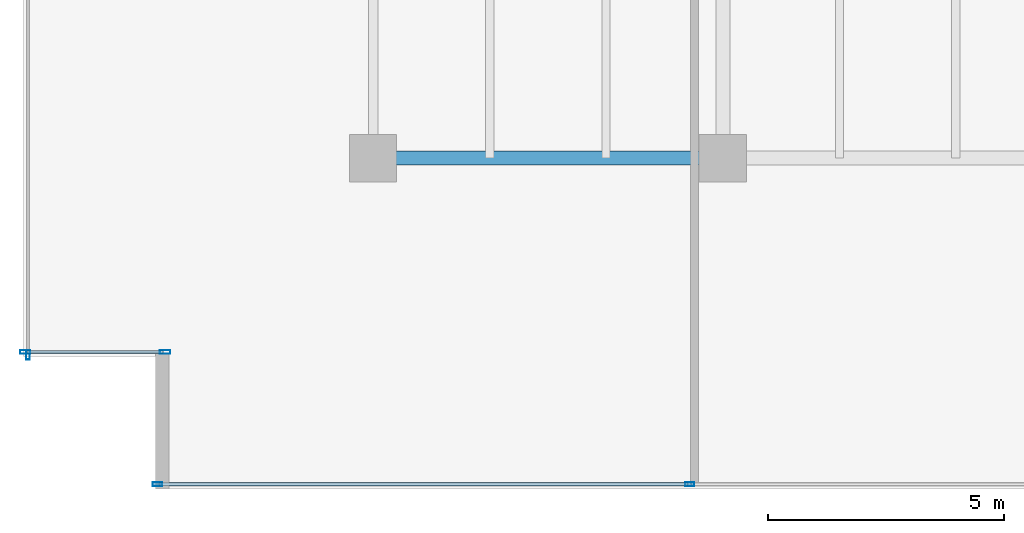
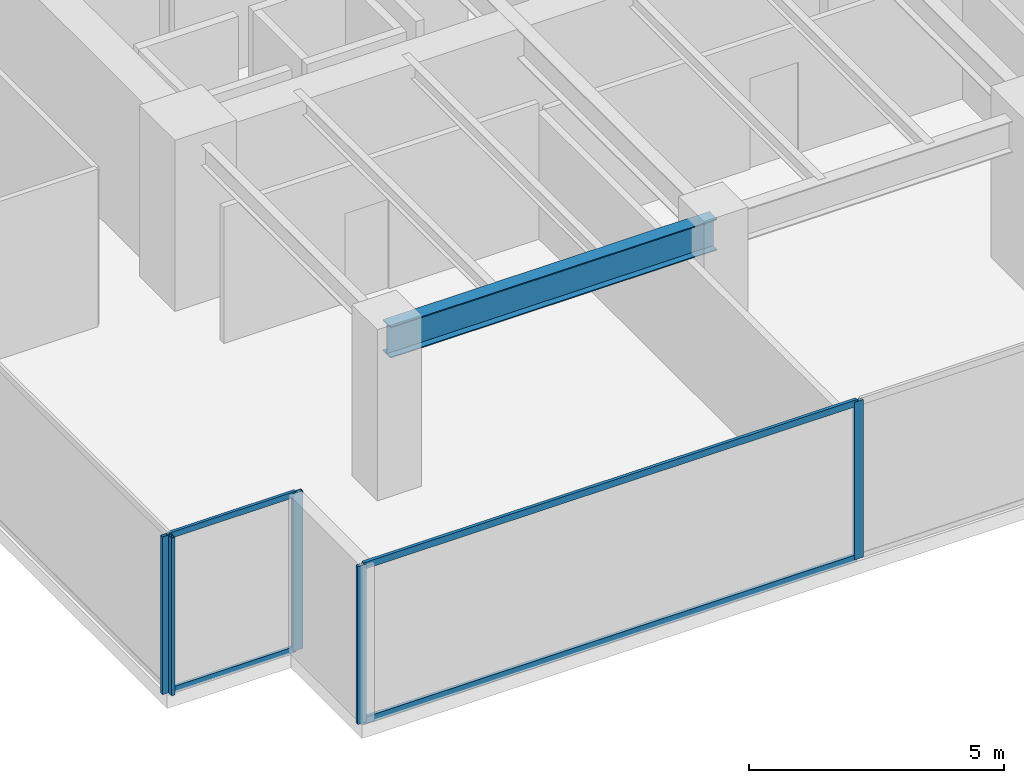
# One storey, part 2 of 35: 9 members, 1 beam, 3 elements without a shape of their own.
"""IFC4 building model written with IfcOpenShell, lengths in metres."""

from ifc_helpers import new_model, si_unit, direction, frame, origin, origin_2d, place, context, subcontext, project, spatial, hollow_rectangle, i_section, extrude, source, transform, mapped, material, layer, layer_set, material_profile, profile_set, type_object, type_shapes, element, aggregate, save


model = new_model("IFC4")

# Units and contexts
model_context = context("Model", 3, precision=1e-05, world=origin(), true_north=direction((0.0, 1.0)))
body_context = subcontext(model_context, "Body", "Model", "MODEL_VIEW")
ifc_project = project(units=[si_unit("LENGTHUNIT", "METRE"), si_unit("AREAUNIT", "SQUARE_METRE"), si_unit("VOLUMEUNIT", "CUBIC_METRE"), si_unit("PLANEANGLEUNIT", "RADIAN"), si_unit("MASSUNIT", "GRAM", prefix="KILO")], contexts=[model_context])

# Site, building, storey
site_placement = place(None, origin())
site = spatial("IfcSite", under=ifc_project, at=site_placement, CompositionType="ELEMENT")
building_placement = place(site_placement, origin())
building = spatial("IfcBuilding", under=site, at=building_placement, Name="Haelvirn Gate Laboratories", CompositionType="ELEMENT")
storey_placement = place(building_placement, frame((0.0, 0.0, 41.60009765625)))
storey = spatial("IfcBuildingStorey", under=building, at=storey_placement, Name="L10", CompositionType="ELEMENT", Elevation=41.60009765625)

# Beam
ifc_material_1 = material(Name="Steel SM355", Category="steel")
ifc_material_profile_1 = material_profile(ifc_material_1, i_section(OverallWidth=0.300048828125, OverallDepth=0.75, WebThickness=0.013916015625, FlangeThickness=0.02392578125, at=origin_2d()), Name="H-750x300x14x24")
ifc_profile_set_1 = profile_set([ifc_material_profile_1], Name="Steel SM355")
beam_type = type_object("IfcBeamType", Name="BM-G-750", PredefinedType="BEAM", material=ifc_profile_set_1)
shared_shape_1 = source(origin(), body_context, "Body", "SweptSolid", [
    extrude(i_section(OverallWidth=0.300048828125, OverallDepth=0.75, WebThickness=0.013916015625, FlangeThickness=0.02392578125, at=origin_2d()), origin(), (0.0, 0.0, 1.0), 7.400146484375),
])
type_shapes(beam_type, [shared_shape_1])
beam_placement = place(storey_placement, frame((7.39990234375, 7.0, 3.40478515625), z_axis=(1.0, 0.0, 0.0), x_axis=(0.0, 1.0, 0.0)))
element("IfcBeam", 1, at=beam_placement, inside=storey, type_object=beam_type, Name="L10 Primary Girder Y7.0 (7.4-14.8)", PredefinedType="BEAM", context=body_context, shape_type="MappedRepresentation", body=[
    mapped(shared_shape_1, transform((0.0, 0.0, 0.0), scale=1.0)),
])

# Curtain wall, members
ifc_material_2 = material(Name="Anodised bronze unitised aluminium & triple low-E glass", Category="aluminium")
ifc_layer_1 = layer(ifc_material_2, 0.18408203125, Name="CW-SYS-2")
ifc_layer_set_1 = layer_set([ifc_layer_1], Name="Anodised bronze unitised aluminium & triple low-E glass")
curtain_wall_type_1 = type_object("IfcCurtainWallType", Name="CW-SYS-2", PredefinedType="NOTDEFINED", material=ifc_layer_set_1)
curtain_wall_1_placement = place(storey_placement, origin())
curtain_wall_1 = element("IfcCurtainWall", 2, at=curtain_wall_1_placement, inside=storey, type_object=curtain_wall_type_1, Name="L10 Unitised Curtain Wall CW-L10-P0-E00-1", PredefinedType="NOTDEFINED")
ifc_material_3 = material(Name="Extruded aluminium 6063-T6 (anodised bronze)", Category="aluminium")
ifc_material_profile_2 = material_profile(ifc_material_3, hollow_rectangle(XDim=0.070068359375, YDim=0.159912109375, WallThickness=0.0048828125, at=origin_2d()), Name="CWT-160x70x5")
ifc_profile_set_2 = profile_set([ifc_material_profile_2], Name="Extruded aluminium 6063-T6 (anodised bronze)")
member_type_1 = type_object("IfcMemberType", Name="CWT-T160", PredefinedType="USERDEFINED", material=ifc_profile_set_2)
shared_shape_2 = source(origin(), body_context, "Body", "SweptSolid", [
    extrude(hollow_rectangle(XDim=0.070068359375, YDim=0.159912109375, WallThickness=0.0048828125, at=origin_2d()), origin(), (0.0, 0.0, 1.0), 11.1875),
])
type_shapes(member_type_1, [shared_shape_2])
member_1_placement = place(storey_placement, frame((2.875, 0.10009765625, 0.034912109375), z_axis=(1.0, 0.0, 0.0), x_axis=(0.0, 1.0, 0.0)))
member_1 = element("IfcMember", 3, at=member_1_placement, type_object=member_type_1, Name="CW2 transom 1.1", ObjectType="TRANSOM", PredefinedType="USERDEFINED", context=body_context, shape_type="MappedRepresentation", body=[
    mapped(shared_shape_2, transform((0.0, 0.0, 0.0), scale=1.0)),
])
member_2_placement = place(storey_placement, frame((2.875, 0.10009765625, 3.744873046875), z_axis=(1.0, 0.0, 0.0), x_axis=(0.0, 1.0, 0.0)))
member_2 = element("IfcMember", 4, at=member_2_placement, type_object=member_type_1, Name="CW2 transom 1.2", ObjectType="TRANSOM", PredefinedType="USERDEFINED", context=body_context, shape_type="MappedRepresentation", body=[
    mapped(shared_shape_2, transform((0.0, 0.0, 0.0), scale=1.0)),
])

ifc_layer_2 = layer(ifc_material_2, 0.181884765625, Name="CW-SYS-5")
ifc_layer_set_2 = layer_set([ifc_layer_2], Name="Anodised bronze unitised aluminium & triple low-E glass")
curtain_wall_type_2 = type_object("IfcCurtainWallType", Name="CW-SYS-5", PredefinedType="NOTDEFINED", material=ifc_layer_set_2)
curtain_wall_2_placement = place(storey_placement, origin())
curtain_wall_2 = element("IfcCurtainWall", 5, at=curtain_wall_2_placement, inside=storey, type_object=curtain_wall_type_2, Name="L10 Unitised Curtain Wall CW-L10-P0-E18-1", PredefinedType="NOTDEFINED")
ifc_material_profile_3 = material_profile(ifc_material_3, hollow_rectangle(XDim=0.06494140625, YDim=0.139892578125, WallThickness=0.00390625, at=origin_2d()), Name="CWT-140x65x4")
ifc_profile_set_3 = profile_set([ifc_material_profile_3], Name="Extruded aluminium 6063-T6 (anodised bronze)")
member_type_2 = type_object("IfcMemberType", Name="CWT-T140", PredefinedType="USERDEFINED", material=ifc_profile_set_3)
shared_shape_3 = source(origin(), body_context, "Body", "SweptSolid", [
    extrude(hollow_rectangle(XDim=0.06494140625, YDim=0.139892578125, WallThickness=0.00390625, at=origin_2d()), origin(), (0.0, 0.0, 1.0), 2.8798828125),
])
type_shapes(member_type_2, [shared_shape_3])
member_3_placement = place(storey_placement, frame((0.080078125, 2.89990234375, 0.032470703125), z_axis=(1.0, 0.0, 0.0), x_axis=(0.0, 1.0, 0.0)))
member_3 = element("IfcMember", 6, at=member_3_placement, type_object=member_type_2, Name="CW5 transom 1.1", ObjectType="TRANSOM", PredefinedType="USERDEFINED", context=body_context, shape_type="MappedRepresentation", body=[
    mapped(shared_shape_3, transform((0.0, 0.0, 0.0), scale=1.0)),
])
member_4_placement = place(storey_placement, frame((0.080078125, 2.89990234375, 3.747314453125), z_axis=(1.0, 0.0, 0.0), x_axis=(0.0, 1.0, 0.0)))
member_4 = element("IfcMember", 7, at=member_4_placement, type_object=member_type_2, Name="CW5 transom 1.2", ObjectType="TRANSOM", PredefinedType="USERDEFINED", context=body_context, shape_type="MappedRepresentation", body=[
    mapped(shared_shape_3, transform((0.0, 0.0, 0.0), scale=1.0)),
])

# Member
ifc_material_profile_4 = material_profile(ifc_material_3, hollow_rectangle(XDim=0.074951171875, YDim=0.199951171875, WallThickness=0.0048828125, at=origin_2d()), Name="CWM-200x75x5")
ifc_profile_set_4 = profile_set([ifc_material_profile_4], Name="Extruded aluminium 6063-T6 (anodised bronze)")
member_type_3 = type_object("IfcMemberType", Name="CWM-T200", PredefinedType="MULLION", material=ifc_profile_set_4)
shared_shape_4 = source(origin(), body_context, "Body", "SweptSolid", [
    extrude(hollow_rectangle(XDim=0.074951171875, YDim=0.199951171875, WallThickness=0.0048828125, at=origin_2d()), origin(), (0.0, 0.0, 1.0), 3.77978515625),
])
type_shapes(member_type_3, [shared_shape_4])
member_5_placement = place(storey_placement, frame((2.83740234375, 0.10009765625, 0.0), z_axis=(0.0, 0.0, 1.0), x_axis=(0.0, 1.0, 0.0)))
member_5 = element("IfcMember", 8, at=member_5_placement, type_object=member_type_3, Name="CW2 mullion 1", PredefinedType="MULLION", context=body_context, shape_type="MappedRepresentation", body=[
    mapped(shared_shape_4, transform((0.0, 0.0, 0.0), scale=1.0)),
])

member_6_placement = place(storey_placement, frame((14.10009765625, 0.10009765625, 0.0), z_axis=(0.0, 0.0, 1.0), x_axis=(0.0, 1.0, 0.0)))
member_6 = element("IfcMember", 9, at=member_6_placement, type_object=member_type_3, Name="CW2 mullion 2", PredefinedType="MULLION", context=body_context, shape_type="MappedRepresentation", body=[
    mapped(shared_shape_4, transform((0.0, 0.0, 0.0), scale=1.0)),
])

aggregate(curtain_wall_1, [member_5, member_6, member_1, member_2])

# Curtain wall, member
curtain_wall_3_placement = place(storey_placement, origin())
curtain_wall_3 = element("IfcCurtainWall", 10, at=curtain_wall_3_placement, inside=storey, type_object=curtain_wall_type_1, Name="L10 Unitised Curtain Wall CW-L10-P0-E17", PredefinedType="NOTDEFINED")
member_7_placement = place(storey_placement, frame((0.10009765625, 2.83740234375, 0.0), z_axis=(0.0, 0.0, 1.0), x_axis=(1.0, 0.0, 0.0)))
member_7 = element("IfcMember", 11, at=member_7_placement, type_object=member_type_3, Name="CW2 mullion 4", PredefinedType="MULLION", context=body_context, shape_type="MappedRepresentation", body=[
    mapped(shared_shape_4, transform((0.0, 0.0, 0.0), scale=1.0)),
])
aggregate(curtain_wall_3, [member_7])

# Member
ifc_material_profile_5 = material_profile(ifc_material_3, hollow_rectangle(XDim=0.080078125, YDim=0.219970703125, WallThickness=0.006103515625, at=origin_2d()), Name="CWM-220x80x6")
ifc_profile_set_5 = profile_set([ifc_material_profile_5], Name="Extruded aluminium 6063-T6 (anodised bronze)")
member_type_4 = type_object("IfcMemberType", Name="CWM-T220", PredefinedType="MULLION", material=ifc_profile_set_5)
shared_shape_5 = source(origin(), body_context, "Body", "SweptSolid", [
    extrude(hollow_rectangle(XDim=0.080078125, YDim=0.219970703125, WallThickness=0.006103515625, at=origin_2d()), origin(), (0.0, 0.0, 1.0), 3.77978515625),
])
type_shapes(member_type_4, [shared_shape_5])
member_8_placement = place(storey_placement, frame((0.0400390625, 2.89990234375, 0.0), z_axis=(0.0, 0.0, 1.0), x_axis=(0.0, 1.0, 0.0)))
member_8 = element("IfcMember", 12, at=member_8_placement, type_object=member_type_4, Name="CW5 mullion 1", PredefinedType="MULLION", context=body_context, shape_type="MappedRepresentation", body=[
    mapped(shared_shape_5, transform((0.0, 0.0, 0.0), scale=1.0)),
])

member_9_placement = place(storey_placement, frame((3.0, 2.89990234375, 0.0), z_axis=(0.0, 0.0, 1.0), x_axis=(0.0, 1.0, 0.0)))
member_9 = element("IfcMember", 13, at=member_9_placement, type_object=member_type_4, Name="CW5 mullion 2", PredefinedType="MULLION", context=body_context, shape_type="MappedRepresentation", body=[
    mapped(shared_shape_5, transform((0.0, 0.0, 0.0), scale=1.0)),
])

aggregate(curtain_wall_2, [member_8, member_9, member_3, member_4])

save(model, "model.ifc")
